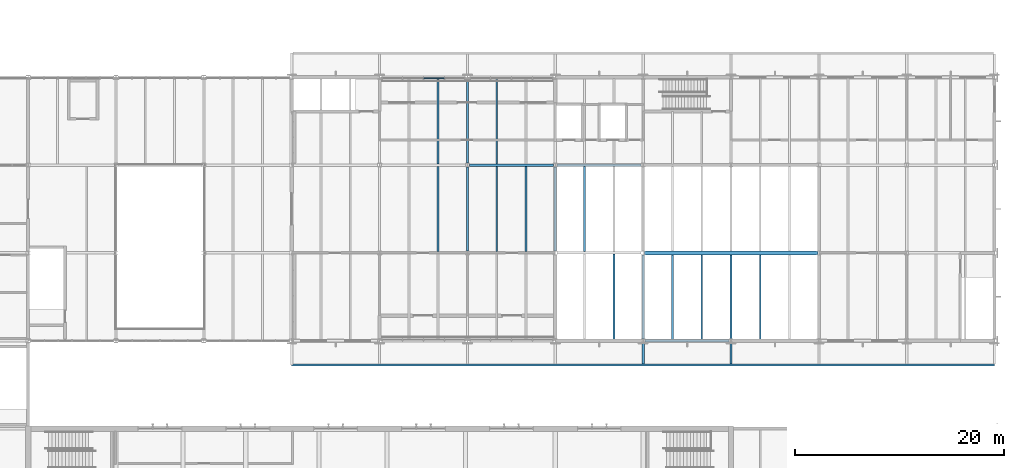
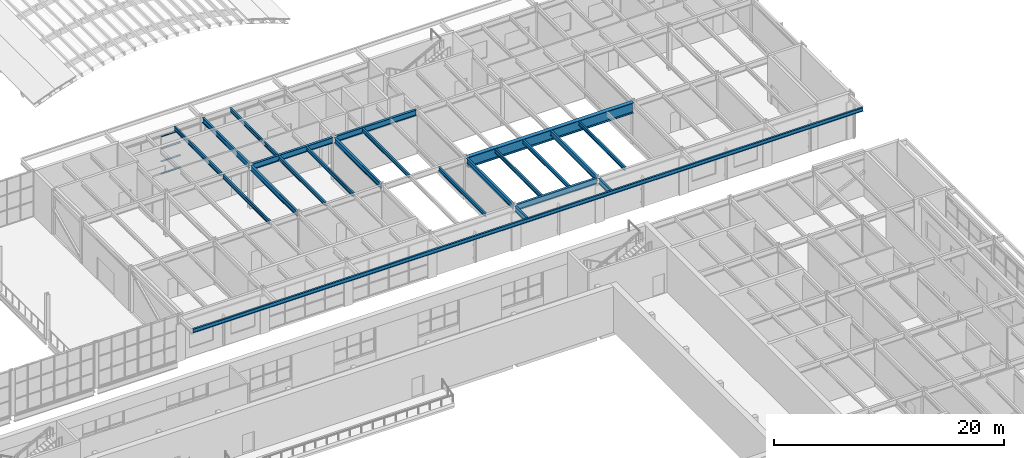
# One storey, part 51 of 116: 22 beams, 4 members, 1 element without a shape of its own.
"""IFC4 building model written with IfcOpenShell, lengths in metres."""

from ifc_helpers import new_model, si_unit, direction, frame, origin, origin_2d, place, context, subcontext, project, spatial, rectangle, i_section, extrude, material, material_profile, profile_set, type_object, element, aggregate, save


model = new_model("IFC4")

# Units and contexts
model_context = context("Model", 3, precision=1e-05, world=origin(), true_north=direction((0.0, 1.0)))
body_context = subcontext(model_context, "Body", "Model", "MODEL_VIEW")
ifc_project = project(units=[si_unit("LENGTHUNIT", "METRE"), si_unit("AREAUNIT", "SQUARE_METRE"), si_unit("VOLUMEUNIT", "CUBIC_METRE"), si_unit("PLANEANGLEUNIT", "RADIAN"), si_unit("MASSUNIT", "GRAM", prefix="KILO")], contexts=[model_context])

# Site, building, storey
site_placement = place(None, origin())
site = spatial("IfcSite", under=ifc_project, at=site_placement, CompositionType="ELEMENT")
building_placement = place(site_placement, origin())
building = spatial("IfcBuilding", under=site, at=building_placement, Name="Ljudholm Concert House", CompositionType="ELEMENT")
storey_placement = place(building_placement, frame((0.0, 0.0, 10.199951171875)))
storey = spatial("IfcBuildingStorey", under=building, at=storey_placement, Name="L02", CompositionType="ELEMENT", Elevation=10.199951171875)

# Beams
ifc_material_1 = material(Name="Steel ASTM A992", Category="steel")
ifc_material_profile_1 = material_profile(ifc_material_1, i_section(OverallWidth=0.177734375, OverallDepth=0.406494140625, WebThickness=0.0078125, FlangeThickness=0.012939453125, FilletRadius=0.01025390625, at=origin_2d()), Name="W16X40")
ifc_profile_set_1 = profile_set([ifc_material_profile_1], Name="Steel ASTM A992")
beam_type_1 = type_object("IfcBeamType", Name="STEEL BEAM W16X40", PredefinedType="BEAM", material=ifc_profile_set_1)
for number, where, z_axis, x_axis, name in (
    (1, (68.39990234375, 113.314453125, 4.416748046875), (0.0, 1.0, 0.0), (-1.0, 0.0, 0.0), "Beam STUDIO-ROOF-sb-68.4-113.2"),
    (2, (68.39990234375, 121.714599609375, 4.416748046875), (0.0, 1.0, 0.0), (-1.0, 0.0, 0.0), "Beam STUDIO-ROOF-sb-68.4-121.6"),
    (3, (74.0, 113.314453125, 4.416748046875), (0.0, 1.0, 0.0), (-1.0, 0.0, 0.0), "Beam STUDIO-ROOF-sb-74-113.2"),
    (4, (76.800048828125, 113.314453125, 4.416748046875), (0.0, 1.0, 0.0), (-1.0, 0.0, 0.0), "Beam STUDIO-ROOF-sb-76.8-113.2"),
    (5, (74.0, 121.714599609375, 4.416748046875), (0.0, 1.0, 0.0), (-1.0, 0.0, 0.0), "Beam STUDIO-ROOF-sb-74-121.6"),
    (6, (85.199951171875, 104.91455078125, 4.416748046875), (0.0, 1.0, 0.0), (-1.0, 0.0, 0.0), "Beam STUDIO-ROOF-sb-85.2-104.8"),
    (7, (82.39990234375, 113.314453125, 4.416748046875), (0.0, 1.0, 0.0), (-1.0, 0.0, 0.0), "Beam STUDIO-ROOF-sb-82.4-113.2"),
):
    element("IfcBeam", number, at=place(storey_placement, frame(where, z_axis=z_axis, x_axis=x_axis)), inside=storey, type_object=beam_type_1, Name=name, PredefinedType="BEAM", context=body_context, shape_type="SweptSolid", body=[
        extrude(i_section(OverallWidth=0.177734375, OverallDepth=0.406494140625, WebThickness=0.0078125, FlangeThickness=0.012939453125, FilletRadius=0.01025390625, at=origin_2d()), origin(), (0.0, 0.0, 1.0), 8.1708984375),
    ])
for number, where, z_axis, x_axis, name in (
    (8, (90.800048828125, 104.91455078125, 4.416748046875), (0.0, 1.0, 0.0), (-1.0, 0.0, 0.0), "Beam STUDIO-ROOF-sb-90.8-104.8"),
    (9, (93.60009765625, 104.91455078125, 4.416748046875), (0.0, 1.0, 0.0), (-1.0, 0.0, 0.0), "Beam STUDIO-ROOF-sb-93.6-104.8"),
    (10, (99.199951171875, 104.91455078125, 4.416748046875), (0.0, 1.0, 0.0), (-1.0, 0.0, 0.0), "Beam STUDIO-ROOF-sb-99.2-104.8"),
):
    element("IfcBeam", number, at=place(storey_placement, frame(where, z_axis=z_axis, x_axis=x_axis)), inside=storey, type_object=beam_type_1, Name=name, PredefinedType="BEAM", context=body_context, shape_type="SweptSolid", body=[
        extrude(i_section(OverallWidth=0.177734375, OverallDepth=0.406494140625, WebThickness=0.0078125, FlangeThickness=0.012939453125, FilletRadius=0.01025390625, at=origin_2d()), origin(), (0.0, 0.0, 1.0), 8.08349609375),
    ])
beam_1_placement = place(storey_placement, frame((54.39990234375, 102.489013671875, 4.416748046875), z_axis=(1.0, 0.0, 0.0), x_axis=(0.0, 1.0, 0.0)))
element("IfcBeam", 11, at=beam_1_placement, inside=storey, type_object=beam_type_1, Name="Beam STUDIO-ROOF-eave-edge-S", PredefinedType="BEAM", context=body_context, shape_type="SweptSolid", body=[
    extrude(i_section(OverallWidth=0.177734375, OverallDepth=0.406494140625, WebThickness=0.0078125, FlangeThickness=0.012939453125, FilletRadius=0.01025390625, at=origin_2d()), origin(), (0.0, 0.0, 1.0), 67.2001953125),
])
ifc_material_2 = material(Name="Steel ASTM A992", Category="steel")
ifc_material_profile_2 = material_profile(ifc_material_2, i_section(OverallWidth=0.209228515625, OverallDepth=0.533447265625, WebThickness=0.01025390625, FlangeThickness=0.015625, FilletRadius=0.012939453125, at=origin_2d()), Name="W21X62")
ifc_profile_set_2 = profile_set([ifc_material_profile_2], Name="Steel ASTM A992")
beam_type_2 = type_object("IfcBeamType", Name="STEEL BEAM W21X62", PredefinedType="BEAM", material=ifc_profile_set_2)
for number, where, z_axis, x_axis, name in (
    (12, (71.199951171875, 113.377685546875, 4.353271484375), (0.0, 1.0, 0.0), (-1.0, 0.0, 0.0), "Beam STUDIO-ROOF-gy-71.2-113.2"),
    (13, (71.199951171875, 121.77783203125, 4.353271484375), (0.0, 1.0, 0.0), (-1.0, 0.0, 0.0), "Beam STUDIO-ROOF-gy-71.2-121.6"),
    (14, (79.60009765625, 113.377685546875, 4.353271484375), (0.0, 1.0, 0.0), (-1.0, 0.0, 0.0), "Beam STUDIO-ROOF-gy-79.6-113.2"),
    (15, (88.0, 104.977783203125, 4.353271484375), (0.0, 1.0, 0.0), (-1.0, 0.0, 0.0), "Beam STUDIO-ROOF-gy-88-104.8"),
):
    element("IfcBeam", number, at=place(storey_placement, frame(where, z_axis=z_axis, x_axis=x_axis)), inside=storey, type_object=beam_type_2, Name=name, PredefinedType="BEAM", context=body_context, shape_type="SweptSolid", body=[
        extrude(i_section(OverallWidth=0.209228515625, OverallDepth=0.533447265625, WebThickness=0.01025390625, FlangeThickness=0.015625, FilletRadius=0.012939453125, at=origin_2d()), origin(), (0.0, 0.0, 1.0), 8.04443359375),
    ])
beam_2_placement = place(storey_placement, frame((96.39990234375, 104.977783203125, 4.353271484375), z_axis=(0.0, 1.0, 0.0), x_axis=(-1.0, 0.0, 0.0)))
element("IfcBeam", 16, at=beam_2_placement, inside=storey, type_object=beam_type_2, Name="Beam STUDIO-ROOF-gy-96.4-104.8", PredefinedType="BEAM", context=body_context, shape_type="SweptSolid", body=[
    extrude(i_section(OverallWidth=0.209228515625, OverallDepth=0.533447265625, WebThickness=0.01025390625, FlangeThickness=0.015625, FilletRadius=0.012939453125, at=origin_2d()), origin(), (0.0, 0.0, 1.0), 8.020263671875),
])
for number, where, z_axis, x_axis, name in (
    (17, (88.0, 104.622314453125, 4.353271484375), (0.0, -1.0, 0.0), (1.0, 0.0, 0.0), "Beam STUDIO-ROOF-eave-gS-88"),
    (18, (96.39990234375, 104.622314453125, 4.353271484375), (0.0, -1.0, 0.0), (1.0, 0.0, 0.0), "Beam STUDIO-ROOF-eave-gS-96.4"),
):
    element("IfcBeam", number, at=place(storey_placement, frame(where, z_axis=z_axis, x_axis=x_axis)), inside=storey, type_object=beam_type_2, Name=name, PredefinedType="BEAM", context=body_context, shape_type="SweptSolid", body=[
        extrude(i_section(OverallWidth=0.209228515625, OverallDepth=0.533447265625, WebThickness=0.01025390625, FlangeThickness=0.015625, FilletRadius=0.012939453125, at=origin_2d()), origin(), (0.0, 0.0, 1.0), 2.04443359375),
    ])
ifc_material_3 = material(Name="Steel ASTM A992", Category="steel")
ifc_material_profile_3 = material_profile(ifc_material_3, i_section(OverallWidth=0.22900390625, OverallDepth=0.612060546875, WebThickness=0.011962890625, FlangeThickness=0.01953125, FilletRadius=0.0126953125, at=origin_2d()), Name="W24X84")
ifc_profile_set_3 = profile_set([ifc_material_profile_3], Name="Steel ASTM A992")
beam_type_3 = type_object("IfcBeamType", Name="STEEL BEAM W24X84", PredefinedType="BEAM", material=ifc_profile_set_3)
for number, where, z_axis, x_axis, name in (
    (19, (88.18408203125, 104.800048828125, 4.31396484375), (1.0, 0.0, 0.0), (0.0, 1.0, 0.0), "Beam STUDIO-ROOF-gx-88-104.8"),
    (20, (71.384033203125, 121.60009765625, 4.31396484375), (1.0, 0.0, 0.0), (0.0, 1.0, 0.0), "Beam STUDIO-ROOF-gx-71.2-121.6"),
    (21, (79.7841796875, 121.60009765625, 4.31396484375), (1.0, 0.0, 0.0), (0.0, 1.0, 0.0), "Beam STUDIO-ROOF-gx-79.6-121.6"),
):
    element("IfcBeam", number, at=place(storey_placement, frame(where, z_axis=z_axis, x_axis=x_axis)), inside=storey, type_object=beam_type_3, Name=name, PredefinedType="BEAM", context=body_context, shape_type="SweptSolid", body=[
        extrude(i_section(OverallWidth=0.22900390625, OverallDepth=0.612060546875, WebThickness=0.011962890625, FlangeThickness=0.01953125, FilletRadius=0.0126953125, at=origin_2d()), origin(), (0.0, 0.0, 1.0), 8.03173828125),
    ])
ifc_material_4 = material(Name="Steel ASTM A992", Category="steel")
ifc_material_profile_4 = material_profile(ifc_material_4, i_section(OverallWidth=0.40380859375, OverallDepth=1.11767578125, WebThickness=0.026123046875, FlangeThickness=0.044921875, FilletRadius=0.02001953125, at=origin_2d()), Name="W44X335")
ifc_profile_set_4 = profile_set([ifc_material_profile_4], Name="Steel ASTM A992")
beam_type_4 = type_object("IfcBeamType", Name="STEEL BEAM W44X335", PredefinedType="BEAM", material=ifc_profile_set_4)
beam_3_placement = place(storey_placement, frame((88.104736328125, 113.199951171875, 4.061279296875), z_axis=(1.0, 0.0, 0.0), x_axis=(0.0, 1.0, 0.0)))
element("IfcBeam", 22, at=beam_3_placement, inside=storey, type_object=beam_type_4, Name="Beam STUDIO-ROOF-gx-88-113.2", PredefinedType="BEAM", context=body_context, shape_type="SweptSolid", body=[
    extrude(i_section(OverallWidth=0.40380859375, OverallDepth=1.11767578125, WebThickness=0.026123046875, FlangeThickness=0.044921875, FilletRadius=0.02001953125, at=origin_2d()), origin(), (0.0, 0.0, 1.0), 16.590576171875),
])

# Curtain wall, members
ifc_material_5 = material(Name="Aluminium curtain wall with fixed aluminium storm louvre blades, timber-grain finish", Category="aluminium")
curtain_wall_type = type_object("IfcCurtainWallType", Name="CURTAIN WALL 2000", PredefinedType="NOTDEFINED", material=ifc_material_5)
curtain_wall_placement = place(storey_placement, origin())
curtain_wall = element("IfcCurtainWall", 23, at=curtain_wall_placement, inside=storey, type_object=curtain_wall_type, Name="Storm louvre screen", PredefinedType="NOTDEFINED")
ifc_material_6 = material(Name="Aluminium extrusion", Category="aluminium")
ifc_material_profile_5 = material_profile(ifc_material_6, rectangle(XDim=0.1201171875, YDim=0.06005859375, at=origin_2d()), Name="TRANSOM 60x120")
ifc_profile_set_5 = profile_set([ifc_material_profile_5], Name="Aluminium extrusion")
member_type = type_object("IfcMemberType", Name="TRANSOM 60x120", PredefinedType="USERDEFINED", material=ifc_profile_set_5)
member_1_placement = place(storey_placement, frame((67.030029296875, 129.89990234375, 0.030029296875), z_axis=(1.0, 0.0, 0.0), x_axis=(0.0, 1.0, 0.0)))
member_1 = element("IfcMember", 24, at=member_1_placement, type_object=member_type, Name="Transom", ObjectType="TRANSOM", PredefinedType="USERDEFINED", context=body_context, shape_type="SweptSolid", body=[
    extrude(rectangle(XDim=0.1201171875, YDim=0.06005859375, at=origin_2d()), origin(), (0.0, 0.0, 1.0), 1.945068359375),
])
member_2_placement = place(storey_placement, frame((67.030029296875, 129.89990234375, 1.3359375), z_axis=(1.0, 0.0, 0.0), x_axis=(0.0, 1.0, 0.0)))
member_2 = element("IfcMember", 25, at=member_2_placement, type_object=member_type, Name="Transom", ObjectType="TRANSOM", PredefinedType="USERDEFINED", context=body_context, shape_type="SweptSolid", body=[
    extrude(rectangle(XDim=0.1201171875, YDim=0.06005859375, at=origin_2d()), origin(), (0.0, 0.0, 1.0), 1.945068359375),
])
member_3_placement = place(storey_placement, frame((67.030029296875, 129.89990234375, 2.671875), z_axis=(1.0, 0.0, 0.0), x_axis=(0.0, 1.0, 0.0)))
member_3 = element("IfcMember", 26, at=member_3_placement, type_object=member_type, Name="Transom", ObjectType="TRANSOM", PredefinedType="USERDEFINED", context=body_context, shape_type="SweptSolid", body=[
    extrude(rectangle(XDim=0.1201171875, YDim=0.06005859375, at=origin_2d()), origin(), (0.0, 0.0, 1.0), 1.945068359375),
])
member_4_placement = place(storey_placement, frame((67.030029296875, 129.89990234375, 3.97802734375), z_axis=(1.0, 0.0, 0.0), x_axis=(0.0, 1.0, 0.0)))
member_4 = element("IfcMember", 27, at=member_4_placement, type_object=member_type, Name="Transom", ObjectType="TRANSOM", PredefinedType="USERDEFINED", context=body_context, shape_type="SweptSolid", body=[
    extrude(rectangle(XDim=0.1201171875, YDim=0.06005859375, at=origin_2d()), origin(), (0.0, 0.0, 1.0), 1.945068359375),
])
aggregate(curtain_wall, [member_1, member_2, member_3, member_4])

save(model, "model.ifc")
